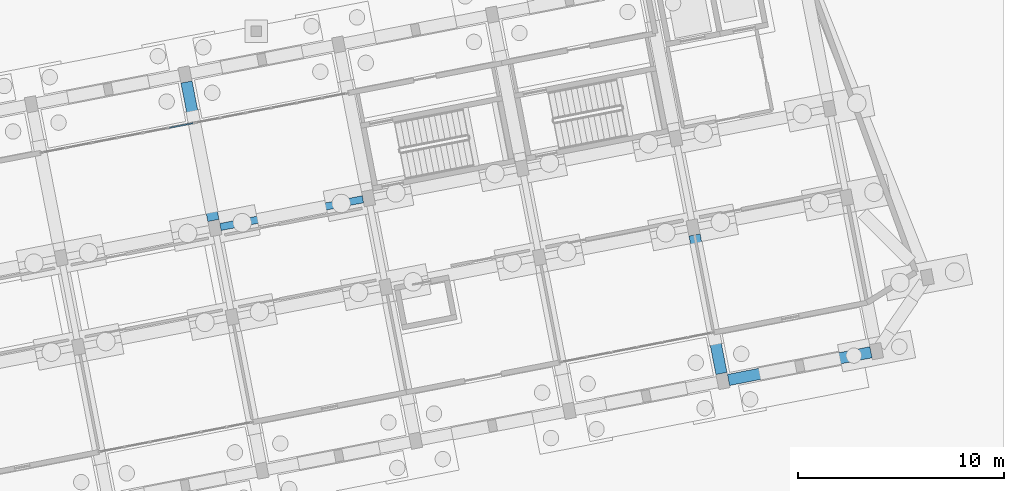
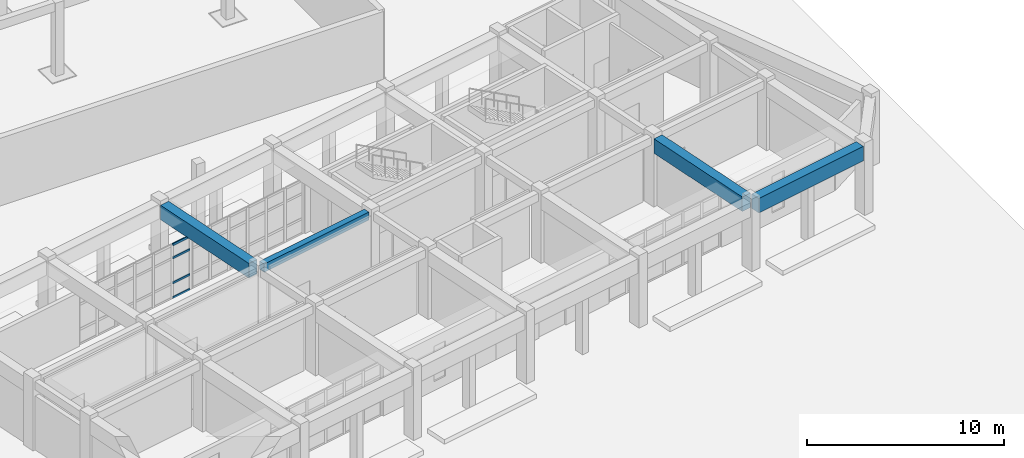
# One storey, part 92 of 154: 4 beams, 4 members, 1 element without a shape of its own.
"""IFC4 building model written with IfcOpenShell, lengths in metres."""

from ifc_helpers import new_model, si_unit, direction, frame, origin, origin_2d, place, context, subcontext, project, spatial, rectangle, hollow_rectangle, extrude, material, material_profile, profile_set, type_object, element, aggregate, save


model = new_model("IFC4")

# Units and contexts
model_context = context("Model", 3, precision=1e-05, world=origin(), true_north=direction((0.0, 1.0)))
body_context = subcontext(model_context, "Body", "Model", "MODEL_VIEW")
ifc_project = project(units=[si_unit("LENGTHUNIT", "METRE"), si_unit("AREAUNIT", "SQUARE_METRE"), si_unit("VOLUMEUNIT", "CUBIC_METRE"), si_unit("PLANEANGLEUNIT", "RADIAN"), si_unit("MASSUNIT", "GRAM", prefix="KILO")], contexts=[model_context])

# Site, building, storey
site_placement = place(None, origin())
site = spatial("IfcSite", under=ifc_project, at=site_placement, CompositionType="ELEMENT")
building_placement = place(site_placement, origin())
building = spatial("IfcBuilding", under=site, at=building_placement, Name="Kestramere Prow Commons", CompositionType="ELEMENT")
storey_placement = place(building_placement, origin())
storey = spatial("IfcBuildingStorey", under=building, at=storey_placement, Name="L00", CompositionType="ELEMENT", Elevation=0.0)

# Beam
ifc_material_1 = material(Name="Precast concrete C40/50", Category="concrete")
ifc_material_profile_1 = material_profile(ifc_material_1, rectangle(XDim=0.35009765625, YDim=0.5, at=origin_2d()), Name="PC-BM 350x500")
ifc_profile_set_1 = profile_set([ifc_material_profile_1], Name="Precast concrete C40/50")
beam_type_1 = type_object("IfcBeamType", Name="BM-D1 PC-BM 350x500", PredefinedType="BEAM", material=ifc_profile_set_1)
beam_1_placement = place(storey_placement, frame((131.301025390625, 48.732177734375, 4.0), z_axis=(0.981626562328, 0.19081219073, 0.0), x_axis=(-0.19081219073, 0.981626562328, 0.0)))
element("IfcBeam", 1, at=beam_1_placement, inside=storey, type_object=beam_type_1, Name="Block D L00 Longitudinal Beam 3-3", PredefinedType="BEAM", context=body_context, shape_type="SweptSolid", body=[
    extrude(rectangle(XDim=0.35009765625, YDim=0.5, at=origin_2d()), origin(), (0.0, 0.0, 1.0), 7.050048828125),
])

# Curtain wall, members
ifc_material_2 = material(Name="Anodised Aluminium and Low-E Glass", Category="aluminium")
curtain_wall_type = type_object("IfcCurtainWallType", Name="CW-07 Glazed Curtain Wall 7580x3350", PredefinedType="USERDEFINED", material=ifc_material_2)
curtain_wall_placement = place(storey_placement, origin())
curtain_wall = element("IfcCurtainWall", 2, at=curtain_wall_placement, inside=storey, type_object=curtain_wall_type, Name="Block D L00 North Courtyard Storefront 2", ObjectType="GLAZED CURTAIN WALL", PredefinedType="USERDEFINED")
ifc_material_3 = material(Name="Anodised Aluminium 6063-T6", Category="aluminium")
ifc_material_profile_2 = material_profile(ifc_material_3, hollow_rectangle(XDim=0.06494140625, YDim=0.1298828125, WallThickness=0.00390625, at=origin_2d()), Name="ALU-TRN 65x130")
ifc_profile_set_2 = profile_set([ifc_material_profile_2], Name="Anodised Aluminium 6063-T6")
member_type = type_object("IfcMemberType", Name="CW-TRN-65x130", PredefinedType="USERDEFINED", material=ifc_profile_set_2)
member_1_placement = place(storey_placement, frame((128.82080078125, 53.547607421875, 0.032470703125), z_axis=(0.981629557026, 0.190796783967, 0.0), x_axis=(-0.190796783967, 0.981629557026, 0.0)))
member_1 = element("IfcMember", 3, at=member_1_placement, type_object=member_type, Name="CW-07 transom 6.1", ObjectType="TRANSOM", PredefinedType="USERDEFINED", context=body_context, shape_type="SweptSolid", body=[
    extrude(hollow_rectangle(XDim=0.06494140625, YDim=0.1298828125, WallThickness=0.00390625, at=origin_2d()), origin(), (0.0, 0.0, 1.0), 1.165771484375),
])
member_2_placement = place(storey_placement, frame((128.82080078125, 53.547607421875, 0.949951171875), z_axis=(0.981629557026, 0.190796783967, 0.0), x_axis=(-0.190796783967, 0.981629557026, 0.0)))
member_2 = element("IfcMember", 4, at=member_2_placement, type_object=member_type, Name="CW-07 transom 6.2", ObjectType="TRANSOM", PredefinedType="USERDEFINED", context=body_context, shape_type="SweptSolid", body=[
    extrude(hollow_rectangle(XDim=0.06494140625, YDim=0.1298828125, WallThickness=0.00390625, at=origin_2d()), origin(), (0.0, 0.0, 1.0), 1.165771484375),
])
member_3_placement = place(storey_placement, frame((128.82080078125, 53.547607421875, 2.5), z_axis=(0.981629557026, 0.190796783967, 0.0), x_axis=(-0.190796783967, 0.981629557026, 0.0)))
member_3 = element("IfcMember", 5, at=member_3_placement, type_object=member_type, Name="CW-07 transom 6.3", ObjectType="TRANSOM", PredefinedType="USERDEFINED", context=body_context, shape_type="SweptSolid", body=[
    extrude(hollow_rectangle(XDim=0.06494140625, YDim=0.1298828125, WallThickness=0.00390625, at=origin_2d()), origin(), (0.0, 0.0, 1.0), 1.165771484375),
])
member_4_placement = place(storey_placement, frame((128.82080078125, 53.547607421875, 3.3173828125), z_axis=(0.981629557026, 0.190796783967, 0.0), x_axis=(-0.190796783967, 0.981629557026, 0.0)))
member_4 = element("IfcMember", 6, at=member_4_placement, type_object=member_type, Name="CW-07 transom 6.4", ObjectType="TRANSOM", PredefinedType="USERDEFINED", context=body_context, shape_type="SweptSolid", body=[
    extrude(hollow_rectangle(XDim=0.06494140625, YDim=0.1298828125, WallThickness=0.00390625, at=origin_2d()), origin(), (0.0, 0.0, 1.0), 1.165771484375),
])
aggregate(curtain_wall, [member_1, member_2, member_3, member_4])

# Beams
ifc_material_profile_3 = material_profile(ifc_material_1, rectangle(XDim=0.550048828125, YDim=0.89990234375, at=origin_2d()), Name="PC-TG 550x900")
ifc_profile_set_3 = profile_set([ifc_material_profile_3], Name="Precast concrete C40/50")
beam_type_2 = type_object("IfcBeamType", Name="TG-01 PC-TG 550x900 (EX)", PredefinedType="BEAM", material=ifc_profile_set_3)
beam_2_placement = place(storey_placement, frame((155.9716796875, 41.30322265625, 3.800048828125), z_axis=(0.981627823124, 0.190805704498, 0.0), x_axis=(-0.190805704498, 0.981627823124, 0.0)))
element("IfcBeam", 7, at=beam_2_placement, inside=storey, type_object=beam_type_2, Name="Block D L00 Longitudinal Beam 1-6", PredefinedType="BEAM", context=body_context, shape_type="SweptSolid", body=[
    extrude(rectangle(XDim=0.550048828125, YDim=0.89990234375, at=origin_2d()), origin(), (0.0, 0.0, 1.0), 7.05029296875),
])
for number, where, z_axis, x_axis, name in (
    (8, (130.95947265625, 49.0478515625, 3.800048828125), (-0.190821960873, 0.981624663122, 0.0), (-0.981624663122, -0.190821960873, 0.0), "Block D L00 N Colonnade Transfer Girder 3"),
    (9, (155.63037109375, 41.618896484375, 3.800048828125), (-0.190821960873, 0.981624663122, 0.0), (-0.981624663122, -0.190821960873, 0.0), "Block D L00 S Colonnade Transfer Girder 6"),
):
    element("IfcBeam", number, at=place(storey_placement, frame(where, z_axis=z_axis, x_axis=x_axis)), inside=storey, type_object=beam_type_2, Name=name, PredefinedType="BEAM", context=body_context, shape_type="SweptSolid", body=[
        extrude(rectangle(XDim=0.550048828125, YDim=0.89990234375, at=origin_2d()), origin(), (0.0, 0.0, 1.0), 6.85009765625),
    ])

save(model, "model.ifc")
